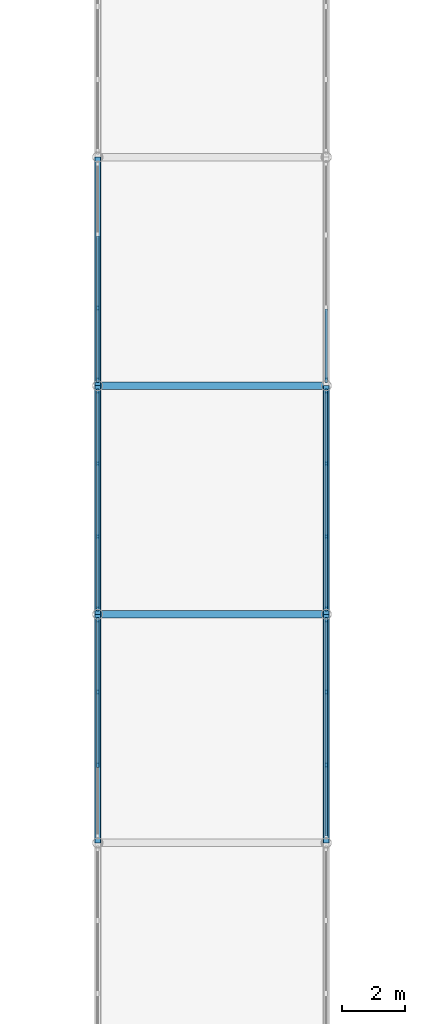
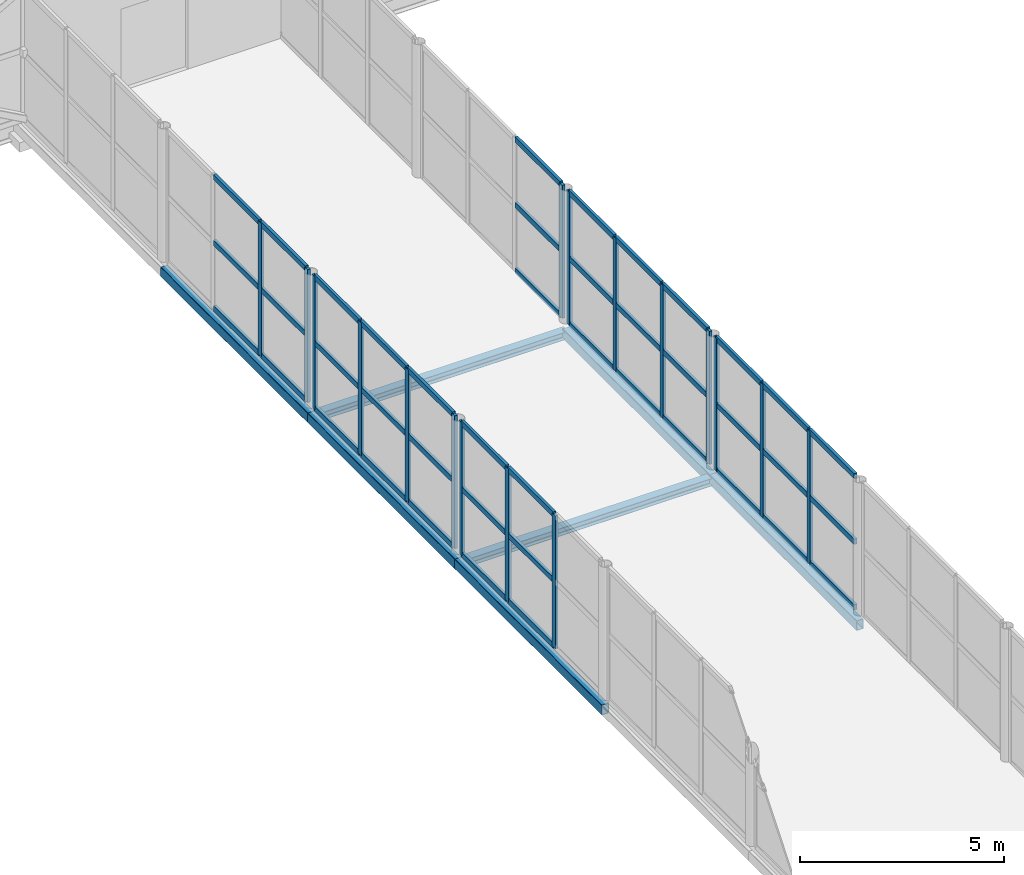
# One storey, part 59 of 146: 59 members, 7 beams, 6 elements without a shape of their own.
"""IFC4 building model written with IfcOpenShell, lengths in metres."""

from ifc_helpers import new_model, si_unit, direction, frame, origin, origin_2d, place, context, subcontext, project, spatial, rectangle, hollow_rectangle, i_section, extrude, material, material_profile, profile_set, type_object, element, aggregate, save


model = new_model("IFC4")

# Units and contexts
model_context = context("Model", 3, precision=1e-05, world=origin(), true_north=direction((0.0, 1.0)))
body_context = subcontext(model_context, "Body", "Model", "MODEL_VIEW")
ifc_project = project(units=[si_unit("LENGTHUNIT", "METRE"), si_unit("AREAUNIT", "SQUARE_METRE"), si_unit("VOLUMEUNIT", "CUBIC_METRE"), si_unit("PLANEANGLEUNIT", "RADIAN"), si_unit("MASSUNIT", "GRAM", prefix="KILO")], contexts=[model_context])

# Site, building, storey
site_placement = place(None, origin())
site = spatial("IfcSite", under=ifc_project, at=site_placement, CompositionType="ELEMENT")
building_placement = place(site_placement, origin())
building = spatial("IfcBuilding", under=site, at=building_placement, Name="Zlatovets Crest Museum", CompositionType="ELEMENT")
storey_placement = place(building_placement, frame((0.0, 0.0, 4.5)))
storey = spatial("IfcBuildingStorey", under=building, at=storey_placement, Name="L01", CompositionType="ELEMENT", Elevation=4.5)

# Beams
ifc_material_1 = material(Name="Structural steel S355J2", Category="steel")
ifc_material_profile_1 = material_profile(ifc_material_1, i_section(OverallWidth=0.239990234375, OverallDepth=0.22998046875, WebThickness=0.007568359375, FlangeThickness=0.011962890625, FilletRadius=0.02099609375, at=origin_2d()), Name="HEA 240")
ifc_profile_set_1 = profile_set([ifc_material_profile_1], Name="Structural steel S355J2")
beam_type_1 = type_object("IfcBeamType", Name="Beam_B-06", PredefinedType="BEAM", material=ifc_profile_set_1)
for number, where, z_axis, x_axis, name in (
    (1, (79.199951171875, 64.800048828125, -0.3701171875), (1.0, 0.0, 0.0), (0.0, 1.0, 0.0), "Central Sculpture Court Cloister and Skywalk L01 Cross Beam"),
    (2, (79.199951171875, 72.0, -0.3701171875), (1.0, 0.0, 0.0), (0.0, 1.0, 0.0), "Central Sculpture Court Cloister and Skywalk L01 Cross Beam"),
):
    element("IfcBeam", number, at=place(storey_placement, frame(where, z_axis=z_axis, x_axis=x_axis)), inside=storey, type_object=beam_type_1, Name=name, PredefinedType="BEAM", context=body_context, shape_type="SweptSolid", body=[
        extrude(i_section(OverallWidth=0.239990234375, OverallDepth=0.22998046875, WebThickness=0.007568359375, FlangeThickness=0.011962890625, FilletRadius=0.02099609375, at=origin_2d()), origin(), (0.0, 0.0, 1.0), 7.199951171875),
    ])
ifc_material_profile_2 = material_profile(ifc_material_1, hollow_rectangle(XDim=0.199951171875, YDim=0.300048828125, WallThickness=0.012451171875, InnerFilletRadius=0.012451171875, OuterFilletRadius=0.02490234375, at=origin_2d()), Name="RHS 200x300x12.5")
ifc_profile_set_2 = profile_set([ifc_material_profile_2], Name="Structural steel S355J2")
beam_type_2 = type_object("IfcBeamType", Name="Beam_BRG-01", PredefinedType="BEAM", material=ifc_profile_set_2)
for number, where, z_axis, x_axis, name in (
    (3, (79.199951171875, 57.60009765625, -0.3701171875), (0.0, 1.0, 0.0), (-1.0, 0.0, 0.0), "Central Sculpture Court Cloister and Skywalk L01 Stringer Beam"),
    (4, (79.199951171875, 64.800048828125, -0.3701171875), (0.0, 1.0, 0.0), (-1.0, 0.0, 0.0), "Central Sculpture Court Cloister and Skywalk L01 Stringer Beam"),
    (5, (79.199951171875, 72.0, -0.3701171875), (0.0, 1.0, 0.0), (-1.0, 0.0, 0.0), "Central Sculpture Court Cloister and Skywalk L01 Stringer Beam"),
    (6, (86.39990234375, 57.60009765625, -0.3701171875), (0.0, 1.0, 0.0), (-1.0, 0.0, 0.0), "Central Sculpture Court Cloister and Skywalk L01 Stringer Beam"),
    (7, (86.39990234375, 64.800048828125, -0.3701171875), (0.0, 1.0, 0.0), (-1.0, 0.0, 0.0), "Central Sculpture Court Cloister and Skywalk L01 Stringer Beam"),
):
    element("IfcBeam", number, at=place(storey_placement, frame(where, z_axis=z_axis, x_axis=x_axis)), inside=storey, type_object=beam_type_2, Name=name, PredefinedType="BEAM", context=body_context, shape_type="SweptSolid", body=[
        extrude(hollow_rectangle(XDim=0.199951171875, YDim=0.300048828125, WallThickness=0.012451171875, InnerFilletRadius=0.012451171875, OuterFilletRadius=0.02490234375, at=origin_2d()), origin(), (0.0, 0.0, 1.0), 7.199951171875),
    ])

# Curtain wall, members
ifc_material_2 = material(Name="Bronze-anodised aluminium and low-E triple glass", Category="aluminium")
curtain_wall_type = type_object("IfcCurtainWallType", Name="CW_CW-BR5-L01-S69", PredefinedType="NOTDEFINED", material=ifc_material_2)
curtain_wall_1_placement = place(storey_placement, origin())
curtain_wall_1 = element("IfcCurtainWall", 8, at=curtain_wall_1_placement, inside=storey, type_object=curtain_wall_type, Name="Central Sculpture Court Cloister and Skywalk L01 Glazed Bridge Curtain Wall", PredefinedType="NOTDEFINED")
ifc_material_3 = material(Name="Bronze-anodised aluminium EN AW-6060", Category="aluminium")
ifc_material_profile_3 = material_profile(ifc_material_3, rectangle(XDim=0.080078125, YDim=0.159912109375, at=origin_2d()), Name="ALU 80x160")
ifc_profile_set_3 = profile_set([ifc_material_profile_3], Name="Bronze-anodised aluminium EN AW-6060")
member_type_1 = type_object("IfcMemberType", Name="CWMull_M1", PredefinedType="MULLION", material=ifc_profile_set_3)
member_1_placement = place(storey_placement, frame((79.199951171875, 60.050048828125, 0.0), z_axis=(0.0, 0.0, 1.0), x_axis=(-1.0, 0.0, 0.0)))
member_1 = element("IfcMember", 9, at=member_1_placement, type_object=member_type_1, Name="CW-BR5-L01-S69 mullion 2", PredefinedType="MULLION", context=body_context, shape_type="SweptSolid", body=[
    extrude(rectangle(XDim=0.080078125, YDim=0.159912109375, at=origin_2d()), origin(), (0.0, 0.0, 1.0), 3.97998046875),
])
member_2_placement = place(storey_placement, frame((79.199951171875, 62.35009765625, 0.0), z_axis=(0.0, 0.0, 1.0), x_axis=(-1.0, 0.0, 0.0)))
member_2 = element("IfcMember", 10, at=member_2_placement, type_object=member_type_1, Name="CW-BR5-L01-S69 mullion 3", PredefinedType="MULLION", context=body_context, shape_type="SweptSolid", body=[
    extrude(rectangle(XDim=0.080078125, YDim=0.159912109375, at=origin_2d()), origin(), (0.0, 0.0, 1.0), 3.97998046875),
])
member_3_placement = place(storey_placement, frame((79.199951171875, 64.6201171875, 0.0), z_axis=(0.0, 0.0, 1.0), x_axis=(-1.0, 0.0, 0.0)))
member_3 = element("IfcMember", 11, at=member_3_placement, type_object=member_type_1, Name="CW-BR5-L01-S69 mullion 4", PredefinedType="MULLION", context=body_context, shape_type="SweptSolid", body=[
    extrude(rectangle(XDim=0.080078125, YDim=0.159912109375, at=origin_2d()), origin(), (0.0, 0.0, 1.0), 3.97998046875),
])

curtain_wall_2_placement = place(storey_placement, origin())
curtain_wall_2 = element("IfcCurtainWall", 12, at=curtain_wall_2_placement, inside=storey, type_object=curtain_wall_type, Name="Central Sculpture Court Cloister and Skywalk L01 Glazed Bridge Curtain Wall", PredefinedType="NOTDEFINED")
member_4_placement = place(storey_placement, frame((79.199951171875, 64.97998046875, 0.0), z_axis=(0.0, 0.0, 1.0), x_axis=(-1.0, 0.0, 0.0)))
member_4 = element("IfcMember", 13, at=member_4_placement, type_object=member_type_1, Name="CW-BR5-L01-S69 mullion 1", PredefinedType="MULLION", context=body_context, shape_type="SweptSolid", body=[
    extrude(rectangle(XDim=0.080078125, YDim=0.159912109375, at=origin_2d()), origin(), (0.0, 0.0, 1.0), 3.97998046875),
])
member_5_placement = place(storey_placement, frame((79.199951171875, 67.25, 0.0), z_axis=(0.0, 0.0, 1.0), x_axis=(-1.0, 0.0, 0.0)))
member_5 = element("IfcMember", 14, at=member_5_placement, type_object=member_type_1, Name="CW-BR5-L01-S69 mullion 2", PredefinedType="MULLION", context=body_context, shape_type="SweptSolid", body=[
    extrude(rectangle(XDim=0.080078125, YDim=0.159912109375, at=origin_2d()), origin(), (0.0, 0.0, 1.0), 3.97998046875),
])
member_6_placement = place(storey_placement, frame((79.199951171875, 69.550048828125, 0.0), z_axis=(0.0, 0.0, 1.0), x_axis=(-1.0, 0.0, 0.0)))
member_6 = element("IfcMember", 15, at=member_6_placement, type_object=member_type_1, Name="CW-BR5-L01-S69 mullion 3", PredefinedType="MULLION", context=body_context, shape_type="SweptSolid", body=[
    extrude(rectangle(XDim=0.080078125, YDim=0.159912109375, at=origin_2d()), origin(), (0.0, 0.0, 1.0), 3.97998046875),
])
member_7_placement = place(storey_placement, frame((79.199951171875, 71.820068359375, 0.0), z_axis=(0.0, 0.0, 1.0), x_axis=(-1.0, 0.0, 0.0)))
member_7 = element("IfcMember", 16, at=member_7_placement, type_object=member_type_1, Name="CW-BR5-L01-S69 mullion 4", PredefinedType="MULLION", context=body_context, shape_type="SweptSolid", body=[
    extrude(rectangle(XDim=0.080078125, YDim=0.159912109375, at=origin_2d()), origin(), (0.0, 0.0, 1.0), 3.97998046875),
])

curtain_wall_3_placement = place(storey_placement, origin())
curtain_wall_3 = element("IfcCurtainWall", 17, at=curtain_wall_3_placement, inside=storey, type_object=curtain_wall_type, Name="Central Sculpture Court Cloister and Skywalk L01 Glazed Bridge Curtain Wall", PredefinedType="NOTDEFINED")
member_8_placement = place(storey_placement, frame((79.199951171875, 72.179931640625, 0.0), z_axis=(0.0, 0.0, 1.0), x_axis=(-1.0, 0.0, 0.0)))
member_8 = element("IfcMember", 18, at=member_8_placement, type_object=member_type_1, Name="CW-BR5-L01-S69 mullion 1", PredefinedType="MULLION", context=body_context, shape_type="SweptSolid", body=[
    extrude(rectangle(XDim=0.080078125, YDim=0.159912109375, at=origin_2d()), origin(), (0.0, 0.0, 1.0), 3.97998046875),
])
member_9_placement = place(storey_placement, frame((79.199951171875, 74.449951171875, 0.0), z_axis=(0.0, 0.0, 1.0), x_axis=(-1.0, 0.0, 0.0)))
member_9 = element("IfcMember", 19, at=member_9_placement, type_object=member_type_1, Name="CW-BR5-L01-S69 mullion 2", PredefinedType="MULLION", context=body_context, shape_type="SweptSolid", body=[
    extrude(rectangle(XDim=0.080078125, YDim=0.159912109375, at=origin_2d()), origin(), (0.0, 0.0, 1.0), 3.97998046875),
])

curtain_wall_4_placement = place(storey_placement, origin())
curtain_wall_4 = element("IfcCurtainWall", 20, at=curtain_wall_4_placement, inside=storey, type_object=curtain_wall_type, Name="Central Sculpture Court Cloister and Skywalk L01 Glazed Bridge Curtain Wall", PredefinedType="NOTDEFINED")
member_10_placement = place(storey_placement, frame((86.39990234375, 60.050048828125, 0.0), z_axis=(0.0, 0.0, 1.0), x_axis=(-1.0, 0.0, 0.0)))
member_10 = element("IfcMember", 21, at=member_10_placement, type_object=member_type_1, Name="CW-BR5-L01-S69 mullion 2", PredefinedType="MULLION", context=body_context, shape_type="SweptSolid", body=[
    extrude(rectangle(XDim=0.080078125, YDim=0.159912109375, at=origin_2d()), origin(), (0.0, 0.0, 1.0), 3.97998046875),
])
member_11_placement = place(storey_placement, frame((86.39990234375, 62.35009765625, 0.0), z_axis=(0.0, 0.0, 1.0), x_axis=(-1.0, 0.0, 0.0)))
member_11 = element("IfcMember", 22, at=member_11_placement, type_object=member_type_1, Name="CW-BR5-L01-S69 mullion 3", PredefinedType="MULLION", context=body_context, shape_type="SweptSolid", body=[
    extrude(rectangle(XDim=0.080078125, YDim=0.159912109375, at=origin_2d()), origin(), (0.0, 0.0, 1.0), 3.97998046875),
])
member_12_placement = place(storey_placement, frame((86.39990234375, 64.6201171875, 0.0), z_axis=(0.0, 0.0, 1.0), x_axis=(-1.0, 0.0, 0.0)))
member_12 = element("IfcMember", 23, at=member_12_placement, type_object=member_type_1, Name="CW-BR5-L01-S69 mullion 4", PredefinedType="MULLION", context=body_context, shape_type="SweptSolid", body=[
    extrude(rectangle(XDim=0.080078125, YDim=0.159912109375, at=origin_2d()), origin(), (0.0, 0.0, 1.0), 3.97998046875),
])

curtain_wall_5_placement = place(storey_placement, origin())
curtain_wall_5 = element("IfcCurtainWall", 24, at=curtain_wall_5_placement, inside=storey, type_object=curtain_wall_type, Name="Central Sculpture Court Cloister and Skywalk L01 Glazed Bridge Curtain Wall", PredefinedType="NOTDEFINED")
member_13_placement = place(storey_placement, frame((86.39990234375, 64.97998046875, 0.0), z_axis=(0.0, 0.0, 1.0), x_axis=(-1.0, 0.0, 0.0)))
member_13 = element("IfcMember", 25, at=member_13_placement, type_object=member_type_1, Name="CW-BR5-L01-S69 mullion 1", PredefinedType="MULLION", context=body_context, shape_type="SweptSolid", body=[
    extrude(rectangle(XDim=0.080078125, YDim=0.159912109375, at=origin_2d()), origin(), (0.0, 0.0, 1.0), 3.97998046875),
])
member_14_placement = place(storey_placement, frame((86.39990234375, 67.25, 0.0), z_axis=(0.0, 0.0, 1.0), x_axis=(-1.0, 0.0, 0.0)))
member_14 = element("IfcMember", 26, at=member_14_placement, type_object=member_type_1, Name="CW-BR5-L01-S69 mullion 2", PredefinedType="MULLION", context=body_context, shape_type="SweptSolid", body=[
    extrude(rectangle(XDim=0.080078125, YDim=0.159912109375, at=origin_2d()), origin(), (0.0, 0.0, 1.0), 3.97998046875),
])
member_15_placement = place(storey_placement, frame((86.39990234375, 69.550048828125, 0.0), z_axis=(0.0, 0.0, 1.0), x_axis=(-1.0, 0.0, 0.0)))
member_15 = element("IfcMember", 27, at=member_15_placement, type_object=member_type_1, Name="CW-BR5-L01-S69 mullion 3", PredefinedType="MULLION", context=body_context, shape_type="SweptSolid", body=[
    extrude(rectangle(XDim=0.080078125, YDim=0.159912109375, at=origin_2d()), origin(), (0.0, 0.0, 1.0), 3.97998046875),
])
member_16_placement = place(storey_placement, frame((86.39990234375, 71.820068359375, 0.0), z_axis=(0.0, 0.0, 1.0), x_axis=(-1.0, 0.0, 0.0)))
member_16 = element("IfcMember", 28, at=member_16_placement, type_object=member_type_1, Name="CW-BR5-L01-S69 mullion 4", PredefinedType="MULLION", context=body_context, shape_type="SweptSolid", body=[
    extrude(rectangle(XDim=0.080078125, YDim=0.159912109375, at=origin_2d()), origin(), (0.0, 0.0, 1.0), 3.97998046875),
])

# Curtain wall, member
curtain_wall_6_placement = place(storey_placement, origin())
curtain_wall_6 = element("IfcCurtainWall", 29, at=curtain_wall_6_placement, inside=storey, type_object=curtain_wall_type, Name="Central Sculpture Court Cloister and Skywalk L01 Glazed Bridge Curtain Wall", PredefinedType="NOTDEFINED")
member_17_placement = place(storey_placement, frame((86.39990234375, 72.179931640625, 0.0), z_axis=(0.0, 0.0, 1.0), x_axis=(-1.0, 0.0, 0.0)))
member_17 = element("IfcMember", 30, at=member_17_placement, type_object=member_type_1, Name="CW-BR5-L01-S69 mullion 1", PredefinedType="MULLION", context=body_context, shape_type="SweptSolid", body=[
    extrude(rectangle(XDim=0.080078125, YDim=0.159912109375, at=origin_2d()), origin(), (0.0, 0.0, 1.0), 3.97998046875),
])

# Member
ifc_material_profile_4 = material_profile(ifc_material_3, rectangle(XDim=0.080078125, YDim=0.159912109375, at=origin_2d()), Name="ALU 80x160")
ifc_profile_set_4 = profile_set([ifc_material_profile_4], Name="Bronze-anodised aluminium EN AW-6060")
member_type_2 = type_object("IfcMemberType", Name="CWTrans_T1", PredefinedType="USERDEFINED", material=ifc_profile_set_4)
member_18_placement = place(storey_placement, frame((79.199951171875, 60.080078125, 0.030029296875), z_axis=(0.0, 1.0, 0.0), x_axis=(-1.0, 0.0, 0.0)))
member_18 = element("IfcMember", 31, at=member_18_placement, type_object=member_type_2, Name="CW-BR5-L01-S69 transom 2.1", ObjectType="TRANSOM", PredefinedType="USERDEFINED", context=body_context, shape_type="SweptSolid", body=[
    extrude(rectangle(XDim=0.080078125, YDim=0.159912109375, at=origin_2d()), origin(), (0.0, 0.0, 1.0), 2.239990234375),
])

member_19_placement = place(storey_placement, frame((79.199951171875, 60.080078125, 1.989990234375), z_axis=(0.0, 1.0, 0.0), x_axis=(-1.0, 0.0, 0.0)))
member_19 = element("IfcMember", 32, at=member_19_placement, type_object=member_type_2, Name="CW-BR5-L01-S69 transom 2.2", ObjectType="TRANSOM", PredefinedType="USERDEFINED", context=body_context, shape_type="SweptSolid", body=[
    extrude(rectangle(XDim=0.080078125, YDim=0.159912109375, at=origin_2d()), origin(), (0.0, 0.0, 1.0), 2.239990234375),
])

member_20_placement = place(storey_placement, frame((79.199951171875, 60.080078125, 3.949951171875), z_axis=(0.0, 1.0, 0.0), x_axis=(-1.0, 0.0, 0.0)))
member_20 = element("IfcMember", 33, at=member_20_placement, type_object=member_type_2, Name="CW-BR5-L01-S69 transom 2.3", ObjectType="TRANSOM", PredefinedType="USERDEFINED", context=body_context, shape_type="SweptSolid", body=[
    extrude(rectangle(XDim=0.080078125, YDim=0.159912109375, at=origin_2d()), origin(), (0.0, 0.0, 1.0), 2.239990234375),
])

member_21_placement = place(storey_placement, frame((79.199951171875, 62.3798828125, 0.030029296875), z_axis=(0.0, 1.0, 0.0), x_axis=(-1.0, 0.0, 0.0)))
member_21 = element("IfcMember", 34, at=member_21_placement, type_object=member_type_2, Name="CW-BR5-L01-S69 transom 3.1", ObjectType="TRANSOM", PredefinedType="USERDEFINED", context=body_context, shape_type="SweptSolid", body=[
    extrude(rectangle(XDim=0.080078125, YDim=0.159912109375, at=origin_2d()), origin(), (0.0, 0.0, 1.0), 2.210205078125),
])

member_22_placement = place(storey_placement, frame((79.199951171875, 62.3798828125, 1.989990234375), z_axis=(0.0, 1.0, 0.0), x_axis=(-1.0, 0.0, 0.0)))
member_22 = element("IfcMember", 35, at=member_22_placement, type_object=member_type_2, Name="CW-BR5-L01-S69 transom 3.2", ObjectType="TRANSOM", PredefinedType="USERDEFINED", context=body_context, shape_type="SweptSolid", body=[
    extrude(rectangle(XDim=0.080078125, YDim=0.159912109375, at=origin_2d()), origin(), (0.0, 0.0, 1.0), 2.210205078125),
])

member_23_placement = place(storey_placement, frame((79.199951171875, 62.3798828125, 3.949951171875), z_axis=(0.0, 1.0, 0.0), x_axis=(-1.0, 0.0, 0.0)))
member_23 = element("IfcMember", 36, at=member_23_placement, type_object=member_type_2, Name="CW-BR5-L01-S69 transom 3.3", ObjectType="TRANSOM", PredefinedType="USERDEFINED", context=body_context, shape_type="SweptSolid", body=[
    extrude(rectangle(XDim=0.080078125, YDim=0.159912109375, at=origin_2d()), origin(), (0.0, 0.0, 1.0), 2.210205078125),
])

aggregate(curtain_wall_1, [member_1, member_2, member_3, member_18, member_19, member_20, member_21, member_22, member_23])

member_24_placement = place(storey_placement, frame((79.199951171875, 65.010009765625, 0.030029296875), z_axis=(0.0, 1.0, 0.0), x_axis=(-1.0, 0.0, 0.0)))
member_24 = element("IfcMember", 37, at=member_24_placement, type_object=member_type_2, Name="CW-BR5-L01-S69 transom 1.1", ObjectType="TRANSOM", PredefinedType="USERDEFINED", context=body_context, shape_type="SweptSolid", body=[
    extrude(rectangle(XDim=0.080078125, YDim=0.159912109375, at=origin_2d()), origin(), (0.0, 0.0, 1.0), 2.2099609375),
])

member_25_placement = place(storey_placement, frame((79.199951171875, 65.010009765625, 1.989990234375), z_axis=(0.0, 1.0, 0.0), x_axis=(-1.0, 0.0, 0.0)))
member_25 = element("IfcMember", 38, at=member_25_placement, type_object=member_type_2, Name="CW-BR5-L01-S69 transom 1.2", ObjectType="TRANSOM", PredefinedType="USERDEFINED", context=body_context, shape_type="SweptSolid", body=[
    extrude(rectangle(XDim=0.080078125, YDim=0.159912109375, at=origin_2d()), origin(), (0.0, 0.0, 1.0), 2.2099609375),
])

member_26_placement = place(storey_placement, frame((79.199951171875, 65.010009765625, 3.949951171875), z_axis=(0.0, 1.0, 0.0), x_axis=(-1.0, 0.0, 0.0)))
member_26 = element("IfcMember", 39, at=member_26_placement, type_object=member_type_2, Name="CW-BR5-L01-S69 transom 1.3", ObjectType="TRANSOM", PredefinedType="USERDEFINED", context=body_context, shape_type="SweptSolid", body=[
    extrude(rectangle(XDim=0.080078125, YDim=0.159912109375, at=origin_2d()), origin(), (0.0, 0.0, 1.0), 2.2099609375),
])

member_27_placement = place(storey_placement, frame((79.199951171875, 67.280029296875, 0.030029296875), z_axis=(0.0, 1.0, 0.0), x_axis=(-1.0, 0.0, 0.0)))
member_27 = element("IfcMember", 40, at=member_27_placement, type_object=member_type_2, Name="CW-BR5-L01-S69 transom 2.1", ObjectType="TRANSOM", PredefinedType="USERDEFINED", context=body_context, shape_type="SweptSolid", body=[
    extrude(rectangle(XDim=0.080078125, YDim=0.159912109375, at=origin_2d()), origin(), (0.0, 0.0, 1.0), 2.239990234375),
])

member_28_placement = place(storey_placement, frame((79.199951171875, 67.280029296875, 1.989990234375), z_axis=(0.0, 1.0, 0.0), x_axis=(-1.0, 0.0, 0.0)))
member_28 = element("IfcMember", 41, at=member_28_placement, type_object=member_type_2, Name="CW-BR5-L01-S69 transom 2.2", ObjectType="TRANSOM", PredefinedType="USERDEFINED", context=body_context, shape_type="SweptSolid", body=[
    extrude(rectangle(XDim=0.080078125, YDim=0.159912109375, at=origin_2d()), origin(), (0.0, 0.0, 1.0), 2.239990234375),
])

member_29_placement = place(storey_placement, frame((79.199951171875, 67.280029296875, 3.949951171875), z_axis=(0.0, 1.0, 0.0), x_axis=(-1.0, 0.0, 0.0)))
member_29 = element("IfcMember", 42, at=member_29_placement, type_object=member_type_2, Name="CW-BR5-L01-S69 transom 2.3", ObjectType="TRANSOM", PredefinedType="USERDEFINED", context=body_context, shape_type="SweptSolid", body=[
    extrude(rectangle(XDim=0.080078125, YDim=0.159912109375, at=origin_2d()), origin(), (0.0, 0.0, 1.0), 2.239990234375),
])

member_30_placement = place(storey_placement, frame((79.199951171875, 69.580078125, 0.030029296875), z_axis=(0.0, 1.0, 0.0), x_axis=(-1.0, 0.0, 0.0)))
member_30 = element("IfcMember", 43, at=member_30_placement, type_object=member_type_2, Name="CW-BR5-L01-S69 transom 3.1", ObjectType="TRANSOM", PredefinedType="USERDEFINED", context=body_context, shape_type="SweptSolid", body=[
    extrude(rectangle(XDim=0.080078125, YDim=0.159912109375, at=origin_2d()), origin(), (0.0, 0.0, 1.0), 2.2099609375),
])

member_31_placement = place(storey_placement, frame((79.199951171875, 69.580078125, 1.989990234375), z_axis=(0.0, 1.0, 0.0), x_axis=(-1.0, 0.0, 0.0)))
member_31 = element("IfcMember", 44, at=member_31_placement, type_object=member_type_2, Name="CW-BR5-L01-S69 transom 3.2", ObjectType="TRANSOM", PredefinedType="USERDEFINED", context=body_context, shape_type="SweptSolid", body=[
    extrude(rectangle(XDim=0.080078125, YDim=0.159912109375, at=origin_2d()), origin(), (0.0, 0.0, 1.0), 2.2099609375),
])

member_32_placement = place(storey_placement, frame((79.199951171875, 69.580078125, 3.949951171875), z_axis=(0.0, 1.0, 0.0), x_axis=(-1.0, 0.0, 0.0)))
member_32 = element("IfcMember", 45, at=member_32_placement, type_object=member_type_2, Name="CW-BR5-L01-S69 transom 3.3", ObjectType="TRANSOM", PredefinedType="USERDEFINED", context=body_context, shape_type="SweptSolid", body=[
    extrude(rectangle(XDim=0.080078125, YDim=0.159912109375, at=origin_2d()), origin(), (0.0, 0.0, 1.0), 2.2099609375),
])

aggregate(curtain_wall_2, [member_4, member_5, member_6, member_7, member_24, member_25, member_26, member_27, member_28, member_29, member_30, member_31, member_32])

member_33_placement = place(storey_placement, frame((79.199951171875, 72.2099609375, 0.030029296875), z_axis=(0.0, 1.0, 0.0), x_axis=(-1.0, 0.0, 0.0)))
member_33 = element("IfcMember", 46, at=member_33_placement, type_object=member_type_2, Name="CW-BR5-L01-S69 transom 1.1", ObjectType="TRANSOM", PredefinedType="USERDEFINED", context=body_context, shape_type="SweptSolid", body=[
    extrude(rectangle(XDim=0.080078125, YDim=0.159912109375, at=origin_2d()), origin(), (0.0, 0.0, 1.0), 2.2099609375),
])

member_34_placement = place(storey_placement, frame((79.199951171875, 72.2099609375, 1.989990234375), z_axis=(0.0, 1.0, 0.0), x_axis=(-1.0, 0.0, 0.0)))
member_34 = element("IfcMember", 47, at=member_34_placement, type_object=member_type_2, Name="CW-BR5-L01-S69 transom 1.2", ObjectType="TRANSOM", PredefinedType="USERDEFINED", context=body_context, shape_type="SweptSolid", body=[
    extrude(rectangle(XDim=0.080078125, YDim=0.159912109375, at=origin_2d()), origin(), (0.0, 0.0, 1.0), 2.2099609375),
])

member_35_placement = place(storey_placement, frame((79.199951171875, 72.2099609375, 3.949951171875), z_axis=(0.0, 1.0, 0.0), x_axis=(-1.0, 0.0, 0.0)))
member_35 = element("IfcMember", 48, at=member_35_placement, type_object=member_type_2, Name="CW-BR5-L01-S69 transom 1.3", ObjectType="TRANSOM", PredefinedType="USERDEFINED", context=body_context, shape_type="SweptSolid", body=[
    extrude(rectangle(XDim=0.080078125, YDim=0.159912109375, at=origin_2d()), origin(), (0.0, 0.0, 1.0), 2.2099609375),
])

member_36_placement = place(storey_placement, frame((79.199951171875, 74.47998046875, 0.030029296875), z_axis=(0.0, 1.0, 0.0), x_axis=(-1.0, 0.0, 0.0)))
member_36 = element("IfcMember", 49, at=member_36_placement, type_object=member_type_2, Name="CW-BR5-L01-S69 transom 2.1", ObjectType="TRANSOM", PredefinedType="USERDEFINED", context=body_context, shape_type="SweptSolid", body=[
    extrude(rectangle(XDim=0.080078125, YDim=0.159912109375, at=origin_2d()), origin(), (0.0, 0.0, 1.0), 2.239990234375),
])

member_37_placement = place(storey_placement, frame((79.199951171875, 74.47998046875, 1.989990234375), z_axis=(0.0, 1.0, 0.0), x_axis=(-1.0, 0.0, 0.0)))
member_37 = element("IfcMember", 50, at=member_37_placement, type_object=member_type_2, Name="CW-BR5-L01-S69 transom 2.2", ObjectType="TRANSOM", PredefinedType="USERDEFINED", context=body_context, shape_type="SweptSolid", body=[
    extrude(rectangle(XDim=0.080078125, YDim=0.159912109375, at=origin_2d()), origin(), (0.0, 0.0, 1.0), 2.239990234375),
])

member_38_placement = place(storey_placement, frame((79.199951171875, 74.47998046875, 3.949951171875), z_axis=(0.0, 1.0, 0.0), x_axis=(-1.0, 0.0, 0.0)))
member_38 = element("IfcMember", 51, at=member_38_placement, type_object=member_type_2, Name="CW-BR5-L01-S69 transom 2.3", ObjectType="TRANSOM", PredefinedType="USERDEFINED", context=body_context, shape_type="SweptSolid", body=[
    extrude(rectangle(XDim=0.080078125, YDim=0.159912109375, at=origin_2d()), origin(), (0.0, 0.0, 1.0), 2.239990234375),
])

aggregate(curtain_wall_3, [member_8, member_9, member_33, member_34, member_35, member_36, member_37, member_38])

member_39_placement = place(storey_placement, frame((86.39990234375, 57.81005859375, 0.030029296875), z_axis=(0.0, 1.0, 0.0), x_axis=(-1.0, 0.0, 0.0)))
member_39 = element("IfcMember", 52, at=member_39_placement, type_object=member_type_2, Name="CW-BR5-L01-S69 transom 1.1", ObjectType="TRANSOM", PredefinedType="USERDEFINED", context=body_context, shape_type="SweptSolid", body=[
    extrude(rectangle(XDim=0.080078125, YDim=0.159912109375, at=origin_2d()), origin(), (0.0, 0.0, 1.0), 2.2099609375),
])

member_40_placement = place(storey_placement, frame((86.39990234375, 57.81005859375, 1.989990234375), z_axis=(0.0, 1.0, 0.0), x_axis=(-1.0, 0.0, 0.0)))
member_40 = element("IfcMember", 53, at=member_40_placement, type_object=member_type_2, Name="CW-BR5-L01-S69 transom 1.2", ObjectType="TRANSOM", PredefinedType="USERDEFINED", context=body_context, shape_type="SweptSolid", body=[
    extrude(rectangle(XDim=0.080078125, YDim=0.159912109375, at=origin_2d()), origin(), (0.0, 0.0, 1.0), 2.2099609375),
])

member_41_placement = place(storey_placement, frame((86.39990234375, 57.81005859375, 3.949951171875), z_axis=(0.0, 1.0, 0.0), x_axis=(-1.0, 0.0, 0.0)))
member_41 = element("IfcMember", 54, at=member_41_placement, type_object=member_type_2, Name="CW-BR5-L01-S69 transom 1.3", ObjectType="TRANSOM", PredefinedType="USERDEFINED", context=body_context, shape_type="SweptSolid", body=[
    extrude(rectangle(XDim=0.080078125, YDim=0.159912109375, at=origin_2d()), origin(), (0.0, 0.0, 1.0), 2.2099609375),
])

member_42_placement = place(storey_placement, frame((86.39990234375, 60.080078125, 0.030029296875), z_axis=(0.0, 1.0, 0.0), x_axis=(-1.0, 0.0, 0.0)))
member_42 = element("IfcMember", 55, at=member_42_placement, type_object=member_type_2, Name="CW-BR5-L01-S69 transom 2.1", ObjectType="TRANSOM", PredefinedType="USERDEFINED", context=body_context, shape_type="SweptSolid", body=[
    extrude(rectangle(XDim=0.080078125, YDim=0.159912109375, at=origin_2d()), origin(), (0.0, 0.0, 1.0), 2.239990234375),
])

member_43_placement = place(storey_placement, frame((86.39990234375, 60.080078125, 1.989990234375), z_axis=(0.0, 1.0, 0.0), x_axis=(-1.0, 0.0, 0.0)))
member_43 = element("IfcMember", 56, at=member_43_placement, type_object=member_type_2, Name="CW-BR5-L01-S69 transom 2.2", ObjectType="TRANSOM", PredefinedType="USERDEFINED", context=body_context, shape_type="SweptSolid", body=[
    extrude(rectangle(XDim=0.080078125, YDim=0.159912109375, at=origin_2d()), origin(), (0.0, 0.0, 1.0), 2.239990234375),
])

member_44_placement = place(storey_placement, frame((86.39990234375, 60.080078125, 3.949951171875), z_axis=(0.0, 1.0, 0.0), x_axis=(-1.0, 0.0, 0.0)))
member_44 = element("IfcMember", 57, at=member_44_placement, type_object=member_type_2, Name="CW-BR5-L01-S69 transom 2.3", ObjectType="TRANSOM", PredefinedType="USERDEFINED", context=body_context, shape_type="SweptSolid", body=[
    extrude(rectangle(XDim=0.080078125, YDim=0.159912109375, at=origin_2d()), origin(), (0.0, 0.0, 1.0), 2.239990234375),
])

member_45_placement = place(storey_placement, frame((86.39990234375, 62.3798828125, 0.030029296875), z_axis=(0.0, 1.0, 0.0), x_axis=(-1.0, 0.0, 0.0)))
member_45 = element("IfcMember", 58, at=member_45_placement, type_object=member_type_2, Name="CW-BR5-L01-S69 transom 3.1", ObjectType="TRANSOM", PredefinedType="USERDEFINED", context=body_context, shape_type="SweptSolid", body=[
    extrude(rectangle(XDim=0.080078125, YDim=0.159912109375, at=origin_2d()), origin(), (0.0, 0.0, 1.0), 2.210205078125),
])

member_46_placement = place(storey_placement, frame((86.39990234375, 62.3798828125, 1.989990234375), z_axis=(0.0, 1.0, 0.0), x_axis=(-1.0, 0.0, 0.0)))
member_46 = element("IfcMember", 59, at=member_46_placement, type_object=member_type_2, Name="CW-BR5-L01-S69 transom 3.2", ObjectType="TRANSOM", PredefinedType="USERDEFINED", context=body_context, shape_type="SweptSolid", body=[
    extrude(rectangle(XDim=0.080078125, YDim=0.159912109375, at=origin_2d()), origin(), (0.0, 0.0, 1.0), 2.210205078125),
])

member_47_placement = place(storey_placement, frame((86.39990234375, 62.3798828125, 3.949951171875), z_axis=(0.0, 1.0, 0.0), x_axis=(-1.0, 0.0, 0.0)))
member_47 = element("IfcMember", 60, at=member_47_placement, type_object=member_type_2, Name="CW-BR5-L01-S69 transom 3.3", ObjectType="TRANSOM", PredefinedType="USERDEFINED", context=body_context, shape_type="SweptSolid", body=[
    extrude(rectangle(XDim=0.080078125, YDim=0.159912109375, at=origin_2d()), origin(), (0.0, 0.0, 1.0), 2.210205078125),
])

aggregate(curtain_wall_4, [member_10, member_11, member_12, member_39, member_40, member_41, member_42, member_43, member_44, member_45, member_46, member_47])

member_48_placement = place(storey_placement, frame((86.39990234375, 65.010009765625, 0.030029296875), z_axis=(0.0, 1.0, 0.0), x_axis=(-1.0, 0.0, 0.0)))
member_48 = element("IfcMember", 61, at=member_48_placement, type_object=member_type_2, Name="CW-BR5-L01-S69 transom 1.1", ObjectType="TRANSOM", PredefinedType="USERDEFINED", context=body_context, shape_type="SweptSolid", body=[
    extrude(rectangle(XDim=0.080078125, YDim=0.159912109375, at=origin_2d()), origin(), (0.0, 0.0, 1.0), 2.2099609375),
])

member_49_placement = place(storey_placement, frame((86.39990234375, 65.010009765625, 1.989990234375), z_axis=(0.0, 1.0, 0.0), x_axis=(-1.0, 0.0, 0.0)))
member_49 = element("IfcMember", 62, at=member_49_placement, type_object=member_type_2, Name="CW-BR5-L01-S69 transom 1.2", ObjectType="TRANSOM", PredefinedType="USERDEFINED", context=body_context, shape_type="SweptSolid", body=[
    extrude(rectangle(XDim=0.080078125, YDim=0.159912109375, at=origin_2d()), origin(), (0.0, 0.0, 1.0), 2.2099609375),
])

member_50_placement = place(storey_placement, frame((86.39990234375, 65.010009765625, 3.949951171875), z_axis=(0.0, 1.0, 0.0), x_axis=(-1.0, 0.0, 0.0)))
member_50 = element("IfcMember", 63, at=member_50_placement, type_object=member_type_2, Name="CW-BR5-L01-S69 transom 1.3", ObjectType="TRANSOM", PredefinedType="USERDEFINED", context=body_context, shape_type="SweptSolid", body=[
    extrude(rectangle(XDim=0.080078125, YDim=0.159912109375, at=origin_2d()), origin(), (0.0, 0.0, 1.0), 2.2099609375),
])

member_51_placement = place(storey_placement, frame((86.39990234375, 67.280029296875, 0.030029296875), z_axis=(0.0, 1.0, 0.0), x_axis=(-1.0, 0.0, 0.0)))
member_51 = element("IfcMember", 64, at=member_51_placement, type_object=member_type_2, Name="CW-BR5-L01-S69 transom 2.1", ObjectType="TRANSOM", PredefinedType="USERDEFINED", context=body_context, shape_type="SweptSolid", body=[
    extrude(rectangle(XDim=0.080078125, YDim=0.159912109375, at=origin_2d()), origin(), (0.0, 0.0, 1.0), 2.239990234375),
])

member_52_placement = place(storey_placement, frame((86.39990234375, 67.280029296875, 1.989990234375), z_axis=(0.0, 1.0, 0.0), x_axis=(-1.0, 0.0, 0.0)))
member_52 = element("IfcMember", 65, at=member_52_placement, type_object=member_type_2, Name="CW-BR5-L01-S69 transom 2.2", ObjectType="TRANSOM", PredefinedType="USERDEFINED", context=body_context, shape_type="SweptSolid", body=[
    extrude(rectangle(XDim=0.080078125, YDim=0.159912109375, at=origin_2d()), origin(), (0.0, 0.0, 1.0), 2.239990234375),
])

member_53_placement = place(storey_placement, frame((86.39990234375, 67.280029296875, 3.949951171875), z_axis=(0.0, 1.0, 0.0), x_axis=(-1.0, 0.0, 0.0)))
member_53 = element("IfcMember", 66, at=member_53_placement, type_object=member_type_2, Name="CW-BR5-L01-S69 transom 2.3", ObjectType="TRANSOM", PredefinedType="USERDEFINED", context=body_context, shape_type="SweptSolid", body=[
    extrude(rectangle(XDim=0.080078125, YDim=0.159912109375, at=origin_2d()), origin(), (0.0, 0.0, 1.0), 2.239990234375),
])

member_54_placement = place(storey_placement, frame((86.39990234375, 69.580078125, 0.030029296875), z_axis=(0.0, 1.0, 0.0), x_axis=(-1.0, 0.0, 0.0)))
member_54 = element("IfcMember", 67, at=member_54_placement, type_object=member_type_2, Name="CW-BR5-L01-S69 transom 3.1", ObjectType="TRANSOM", PredefinedType="USERDEFINED", context=body_context, shape_type="SweptSolid", body=[
    extrude(rectangle(XDim=0.080078125, YDim=0.159912109375, at=origin_2d()), origin(), (0.0, 0.0, 1.0), 2.2099609375),
])

member_55_placement = place(storey_placement, frame((86.39990234375, 69.580078125, 1.989990234375), z_axis=(0.0, 1.0, 0.0), x_axis=(-1.0, 0.0, 0.0)))
member_55 = element("IfcMember", 68, at=member_55_placement, type_object=member_type_2, Name="CW-BR5-L01-S69 transom 3.2", ObjectType="TRANSOM", PredefinedType="USERDEFINED", context=body_context, shape_type="SweptSolid", body=[
    extrude(rectangle(XDim=0.080078125, YDim=0.159912109375, at=origin_2d()), origin(), (0.0, 0.0, 1.0), 2.2099609375),
])

member_56_placement = place(storey_placement, frame((86.39990234375, 69.580078125, 3.949951171875), z_axis=(0.0, 1.0, 0.0), x_axis=(-1.0, 0.0, 0.0)))
member_56 = element("IfcMember", 69, at=member_56_placement, type_object=member_type_2, Name="CW-BR5-L01-S69 transom 3.3", ObjectType="TRANSOM", PredefinedType="USERDEFINED", context=body_context, shape_type="SweptSolid", body=[
    extrude(rectangle(XDim=0.080078125, YDim=0.159912109375, at=origin_2d()), origin(), (0.0, 0.0, 1.0), 2.2099609375),
])

aggregate(curtain_wall_5, [member_13, member_14, member_15, member_16, member_48, member_49, member_50, member_51, member_52, member_53, member_54, member_55, member_56])

member_57_placement = place(storey_placement, frame((86.39990234375, 72.2099609375, 0.030029296875), z_axis=(0.0, 1.0, 0.0), x_axis=(-1.0, 0.0, 0.0)))
member_57 = element("IfcMember", 70, at=member_57_placement, type_object=member_type_2, Name="CW-BR5-L01-S69 transom 1.1", ObjectType="TRANSOM", PredefinedType="USERDEFINED", context=body_context, shape_type="SweptSolid", body=[
    extrude(rectangle(XDim=0.080078125, YDim=0.159912109375, at=origin_2d()), origin(), (0.0, 0.0, 1.0), 2.2099609375),
])

member_58_placement = place(storey_placement, frame((86.39990234375, 72.2099609375, 1.989990234375), z_axis=(0.0, 1.0, 0.0), x_axis=(-1.0, 0.0, 0.0)))
member_58 = element("IfcMember", 71, at=member_58_placement, type_object=member_type_2, Name="CW-BR5-L01-S69 transom 1.2", ObjectType="TRANSOM", PredefinedType="USERDEFINED", context=body_context, shape_type="SweptSolid", body=[
    extrude(rectangle(XDim=0.080078125, YDim=0.159912109375, at=origin_2d()), origin(), (0.0, 0.0, 1.0), 2.2099609375),
])

member_59_placement = place(storey_placement, frame((86.39990234375, 72.2099609375, 3.949951171875), z_axis=(0.0, 1.0, 0.0), x_axis=(-1.0, 0.0, 0.0)))
member_59 = element("IfcMember", 72, at=member_59_placement, type_object=member_type_2, Name="CW-BR5-L01-S69 transom 1.3", ObjectType="TRANSOM", PredefinedType="USERDEFINED", context=body_context, shape_type="SweptSolid", body=[
    extrude(rectangle(XDim=0.080078125, YDim=0.159912109375, at=origin_2d()), origin(), (0.0, 0.0, 1.0), 2.2099609375),
])

aggregate(curtain_wall_6, [member_17, member_57, member_58, member_59])

save(model, "model.ifc")
